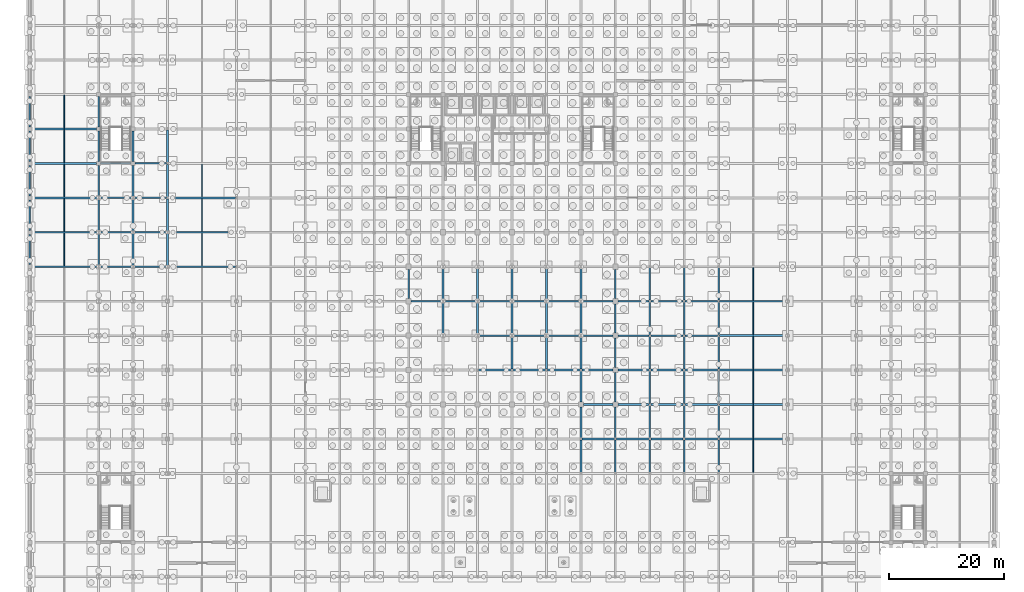
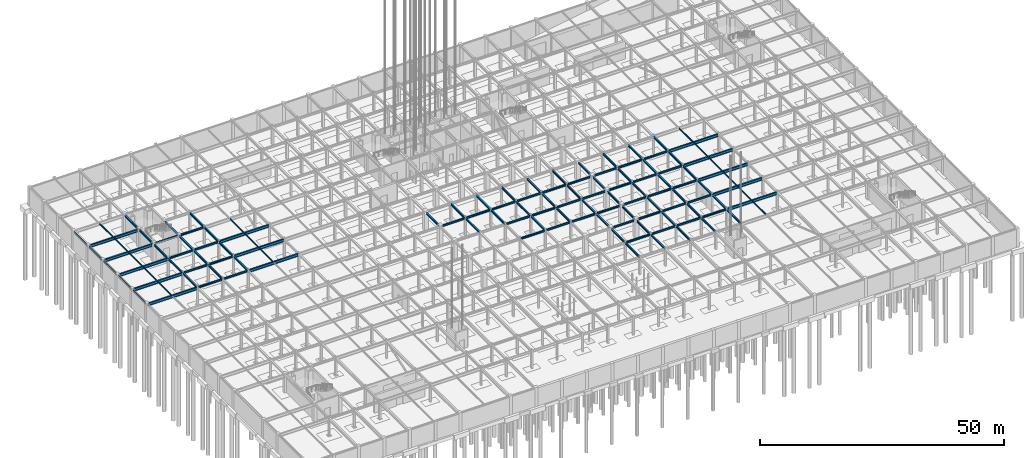
# One storey, part 36 of 69: 125 beams.
"""IFC4 building model written with IfcOpenShell, lengths in metres."""

from ifc_helpers import new_model, si_unit, direction, frame, origin, origin_2d, place, context, subcontext, project, spatial, i_section, extrude, material, material_profile, profile_set, type_object, element, save


model = new_model("IFC4")

# Units and contexts
model_context = context("Model", 3, precision=1e-05, world=origin(), true_north=direction((0.0, 1.0)))
body_context = subcontext(model_context, "Body", "Model", "MODEL_VIEW")
ifc_project = project(units=[si_unit("LENGTHUNIT", "METRE"), si_unit("AREAUNIT", "SQUARE_METRE"), si_unit("VOLUMEUNIT", "CUBIC_METRE"), si_unit("PLANEANGLEUNIT", "RADIAN"), si_unit("MASSUNIT", "GRAM", prefix="KILO")], contexts=[model_context])

# Site, building, storey
site_placement = place(None, origin())
site = spatial("IfcSite", under=ifc_project, at=site_placement, CompositionType="ELEMENT")
building_placement = place(site_placement, origin())
building = spatial("IfcBuilding", under=site, at=building_placement, Name="Zlatovratsky Civic Hall", CompositionType="ELEMENT")
storey_placement = place(building_placement, frame((0.0, 0.0, -4.800048828125)))
storey = spatial("IfcBuildingStorey", under=building, at=storey_placement, Name="B1", CompositionType="ELEMENT", Elevation=-4.800048828125)

# Beams
ifc_material = material(Name="Steel S355", Category="steel")
ifc_material_profile_1 = material_profile(ifc_material, i_section(OverallWidth=0.320068359375, OverallDepth=0.68310546875, WebThickness=0.012939453125, FlangeThickness=0.01904296875, FilletRadius=0.02587890625, at=origin_2d()), Name="70Sh1")
ifc_profile_set_1 = profile_set([ifc_material_profile_1], Name="Steel S355")
beam_type_1 = type_object("IfcBeamType", Name="Beam_HallGirder_70Sh1", PredefinedType="BEAM", material=ifc_profile_set_1)
for number, where, z_axis, x_axis, name in (
    (1, (120.175048828125, 36.0, 4.138427734375), (1.0, 0.0, 0.0), (0.0, 1.0, 0.0), "BM-0096"),
    (2, (120.175048828125, 42.0, 4.138427734375), (1.0, 0.0, 0.0), (0.0, 1.0, 0.0), "BM-0118"),
    (3, (120.175048828125, 48.0, 4.138427734375), (1.0, 0.0, 0.0), (0.0, 1.0, 0.0), "BM-0140"),
    (4, (120.175048828125, 54.0, 4.138427734375), (1.0, 0.0, 0.0), (0.0, 1.0, 0.0), "BM-0162"),
    (5, (120.175048828125, 60.0, 4.138427734375), (1.0, 0.0, 0.0), (0.0, 1.0, 0.0), "BM-0184"),
):
    element("IfcBeam", number, at=place(storey_placement, frame(where, z_axis=z_axis, x_axis=x_axis)), inside=storey, type_object=beam_type_1, Name=name, PredefinedType="BEAM", context=body_context, shape_type="SweptSolid", body=[
        extrude(i_section(OverallWidth=0.320068359375, OverallDepth=0.68310546875, WebThickness=0.012939453125, FlangeThickness=0.01904296875, FilletRadius=0.02587890625, at=origin_2d()), origin(), (0.0, 0.0, 1.0), 11.64990234375),
    ])
beam_1_placement = place(storey_placement, frame((0.35009765625, 66.0, 4.138427734375), z_axis=(1.0, 0.0, 0.0), x_axis=(0.0, 1.0, 0.0)))
element("IfcBeam", 6, at=beam_1_placement, inside=storey, type_object=beam_type_1, Name="BM-0189", PredefinedType="BEAM", context=body_context, shape_type="SweptSolid", body=[
    extrude(i_section(OverallWidth=0.320068359375, OverallDepth=0.68310546875, WebThickness=0.012939453125, FlangeThickness=0.01904296875, FilletRadius=0.02587890625, at=origin_2d()), origin(), (0.0, 0.0, 1.0), 11.474853515625),
])
beam_2_placement = place(storey_placement, frame((24.175048828125, 66.0, 4.138427734375), z_axis=(1.0, 0.0, 0.0), x_axis=(0.0, 1.0, 0.0)))
element("IfcBeam", 7, at=beam_2_placement, inside=storey, type_object=beam_type_1, Name="BM-0192", PredefinedType="BEAM", context=body_context, shape_type="SweptSolid", body=[
    extrude(i_section(OverallWidth=0.320068359375, OverallDepth=0.68310546875, WebThickness=0.012939453125, FlangeThickness=0.01904296875, FilletRadius=0.02587890625, at=origin_2d()), origin(), (0.0, 0.0, 1.0), 11.64990234375),
])
beam_3_placement = place(storey_placement, frame((0.35009765625, 72.0, 4.138427734375), z_axis=(1.0, 0.0, 0.0), x_axis=(0.0, 1.0, 0.0)))
element("IfcBeam", 8, at=beam_3_placement, inside=storey, type_object=beam_type_1, Name="BM-0211", PredefinedType="BEAM", context=body_context, shape_type="SweptSolid", body=[
    extrude(i_section(OverallWidth=0.320068359375, OverallDepth=0.68310546875, WebThickness=0.012939453125, FlangeThickness=0.01904296875, FilletRadius=0.02587890625, at=origin_2d()), origin(), (0.0, 0.0, 1.0), 11.474853515625),
])
beam_4_placement = place(storey_placement, frame((24.175048828125, 72.0, 4.138427734375), z_axis=(1.0, 0.0, 0.0), x_axis=(0.0, 1.0, 0.0)))
element("IfcBeam", 9, at=beam_4_placement, inside=storey, type_object=beam_type_1, Name="BM-0214", PredefinedType="BEAM", context=body_context, shape_type="SweptSolid", body=[
    extrude(i_section(OverallWidth=0.320068359375, OverallDepth=0.68310546875, WebThickness=0.012939453125, FlangeThickness=0.01904296875, FilletRadius=0.02587890625, at=origin_2d()), origin(), (0.0, 0.0, 1.0), 11.64990234375),
])
beam_5_placement = place(storey_placement, frame((0.35009765625, 78.0, 4.138427734375), z_axis=(1.0, 0.0, 0.0), x_axis=(0.0, 1.0, 0.0)))
element("IfcBeam", 10, at=beam_5_placement, inside=storey, type_object=beam_type_1, Name="BM-0233", PredefinedType="BEAM", context=body_context, shape_type="SweptSolid", body=[
    extrude(i_section(OverallWidth=0.320068359375, OverallDepth=0.68310546875, WebThickness=0.012939453125, FlangeThickness=0.01904296875, FilletRadius=0.02587890625, at=origin_2d()), origin(), (0.0, 0.0, 1.0), 11.474853515625),
])
beam_6_placement = place(storey_placement, frame((24.175048828125, 78.0, 4.138427734375), z_axis=(1.0, 0.0, 0.0), x_axis=(0.0, 1.0, 0.0)))
element("IfcBeam", 11, at=beam_6_placement, inside=storey, type_object=beam_type_1, Name="BM-0236", PredefinedType="BEAM", context=body_context, shape_type="SweptSolid", body=[
    extrude(i_section(OverallWidth=0.320068359375, OverallDepth=0.68310546875, WebThickness=0.012939453125, FlangeThickness=0.01904296875, FilletRadius=0.02587890625, at=origin_2d()), origin(), (0.0, 0.0, 1.0), 11.64990234375),
])
for number, where, z_axis, x_axis, name in (
    (12, (0.35009765625, 84.0, 4.138427734375), (1.0, 0.0, 0.0), (0.0, 1.0, 0.0), "BM-0255"),
    (13, (0.35009765625, 90.0, 4.138427734375), (1.0, 0.0, 0.0), (0.0, 1.0, 0.0), "BM-0277"),
):
    element("IfcBeam", number, at=place(storey_placement, frame(where, z_axis=z_axis, x_axis=x_axis)), inside=storey, type_object=beam_type_1, Name=name, PredefinedType="BEAM", context=body_context, shape_type="SweptSolid", body=[
        extrude(i_section(OverallWidth=0.320068359375, OverallDepth=0.68310546875, WebThickness=0.012939453125, FlangeThickness=0.01904296875, FilletRadius=0.02587890625, at=origin_2d()), origin(), (0.0, 0.0, 1.0), 11.2998046875),
    ])
ifc_material_profile_2 = material_profile(ifc_material, i_section(OverallWidth=0.198974609375, OverallDepth=0.491943359375, WebThickness=0.0087890625, FlangeThickness=0.011962890625, FilletRadius=0.01611328125, at=origin_2d()), Name="50B1")
ifc_profile_set_2 = profile_set([ifc_material_profile_2], Name="Steel S355")
beam_type_2 = type_object("IfcBeamType", Name="Beam_Spandrel_50B1", PredefinedType="SPANDREL", material=ifc_profile_set_2)
for number, where, z_axis, x_axis, name in (
    (14, (0.0, 66.35009765625, 4.234130859375), (0.0, 1.0, 0.0), (-1.0, 0.0, 0.0), "BM-0392"),
    (15, (0.0, 72.35009765625, 4.234130859375), (0.0, 1.0, 0.0), (-1.0, 0.0, 0.0), "BM-0393"),
    (16, (0.0, 78.35009765625, 4.234130859375), (0.0, 1.0, 0.0), (-1.0, 0.0, 0.0), "BM-0394"),
    (17, (0.0, 84.35009765625, 4.234130859375), (0.0, 1.0, 0.0), (-1.0, 0.0, 0.0), "BM-0395"),
    (18, (0.0, 90.35009765625, 4.234130859375), (0.0, 1.0, 0.0), (-1.0, 0.0, 0.0), "BM-0396"),
):
    element("IfcBeam", number, at=place(storey_placement, frame(where, z_axis=z_axis, x_axis=x_axis)), inside=storey, type_object=beam_type_2, Name=name, PredefinedType="SPANDREL", context=body_context, shape_type="SweptSolid", body=[
        extrude(i_section(OverallWidth=0.198974609375, OverallDepth=0.491943359375, WebThickness=0.0087890625, FlangeThickness=0.011962890625, FilletRadius=0.01611328125, at=origin_2d()), origin(), (0.0, 0.0, 1.0), 5.2998046875),
    ])
ifc_material_profile_3 = material_profile(ifc_material, i_section(OverallWidth=0.300048828125, OverallDepth=0.43994140625, WebThickness=0.010986328125, FlangeThickness=0.01806640625, FilletRadius=0.02197265625, at=origin_2d()), Name="45Sh1")
ifc_profile_set_3 = profile_set([ifc_material_profile_3], Name="Steel S355")
beam_type_3 = type_object("IfcBeamType", Name="Beam_TowerLow_45Sh1", PredefinedType="BEAM", material=ifc_profile_set_3)
for number, where, z_axis, x_axis, name in (
    (19, (96.175048828125, 36.0, 4.260009765625), (1.0, 0.0, 0.0), (0.0, 1.0, 0.0), "BM-0092"),
    (20, (102.175048828125, 36.0, 4.260009765625), (1.0, 0.0, 0.0), (0.0, 1.0, 0.0), "BM-0093"),
    (21, (108.175048828125, 36.0, 4.260009765625), (1.0, 0.0, 0.0), (0.0, 1.0, 0.0), "BM-0094"),
    (22, (114.175048828125, 36.0, 4.260009765625), (1.0, 0.0, 0.0), (0.0, 1.0, 0.0), "BM-0095"),
):
    element("IfcBeam", number, at=place(storey_placement, frame(where, z_axis=z_axis, x_axis=x_axis)), inside=storey, type_object=beam_type_3, Name=name, PredefinedType="BEAM", context=body_context, shape_type="SweptSolid", body=[
        extrude(i_section(OverallWidth=0.300048828125, OverallDepth=0.43994140625, WebThickness=0.010986328125, FlangeThickness=0.01806640625, FilletRadius=0.02197265625, at=origin_2d()), origin(), (0.0, 0.0, 1.0), 5.64990234375),
    ])
beam_7_placement = place(storey_placement, frame((96.449951171875, 42.0, 4.260009765625), z_axis=(1.0, 0.0, 0.0), x_axis=(0.0, 1.0, 0.0)))
element("IfcBeam", 23, at=beam_7_placement, inside=storey, type_object=beam_type_3, Name="BM-0114", PredefinedType="BEAM", context=body_context, shape_type="SweptSolid", body=[
    extrude(i_section(OverallWidth=0.300048828125, OverallDepth=0.43994140625, WebThickness=0.010986328125, FlangeThickness=0.01806640625, FilletRadius=0.02197265625, at=origin_2d()), origin(), (0.0, 0.0, 1.0), 5.10009765625),
])
beam_8_placement = place(storey_placement, frame((102.449951171875, 42.0, 4.260009765625), z_axis=(1.0, 0.0, 0.0), x_axis=(0.0, 1.0, 0.0)))
element("IfcBeam", 24, at=beam_8_placement, inside=storey, type_object=beam_type_3, Name="BM-0115", PredefinedType="BEAM", context=body_context, shape_type="SweptSolid", body=[
    extrude(i_section(OverallWidth=0.300048828125, OverallDepth=0.43994140625, WebThickness=0.010986328125, FlangeThickness=0.01806640625, FilletRadius=0.02197265625, at=origin_2d()), origin(), (0.0, 0.0, 1.0), 5.375),
])
for number, where, z_axis, x_axis, name in (
    (25, (108.175048828125, 42.0, 4.260009765625), (1.0, 0.0, 0.0), (0.0, 1.0, 0.0), "BM-0116"),
    (26, (114.175048828125, 42.0, 4.260009765625), (1.0, 0.0, 0.0), (0.0, 1.0, 0.0), "BM-0117"),
    (27, (78.175048828125, 48.0, 4.260009765625), (1.0, 0.0, 0.0), (0.0, 1.0, 0.0), "BM-0133"),
    (28, (84.175048828125, 48.0, 4.260009765625), (1.0, 0.0, 0.0), (0.0, 1.0, 0.0), "BM-0134"),
    (29, (90.175048828125, 48.0, 4.260009765625), (1.0, 0.0, 0.0), (0.0, 1.0, 0.0), "BM-0135"),
):
    element("IfcBeam", number, at=place(storey_placement, frame(where, z_axis=z_axis, x_axis=x_axis)), inside=storey, type_object=beam_type_3, Name=name, PredefinedType="BEAM", context=body_context, shape_type="SweptSolid", body=[
        extrude(i_section(OverallWidth=0.300048828125, OverallDepth=0.43994140625, WebThickness=0.010986328125, FlangeThickness=0.01806640625, FilletRadius=0.02197265625, at=origin_2d()), origin(), (0.0, 0.0, 1.0), 5.64990234375),
    ])
for number, where, z_axis, x_axis, name in (
    (30, (96.175048828125, 48.0, 4.260009765625), (1.0, 0.0, 0.0), (0.0, 1.0, 0.0), "BM-0136"),
    (31, (102.449951171875, 48.0, 4.260009765625), (1.0, 0.0, 0.0), (0.0, 1.0, 0.0), "BM-0137"),
):
    element("IfcBeam", number, at=place(storey_placement, frame(where, z_axis=z_axis, x_axis=x_axis)), inside=storey, type_object=beam_type_3, Name=name, PredefinedType="BEAM", context=body_context, shape_type="SweptSolid", body=[
        extrude(i_section(OverallWidth=0.300048828125, OverallDepth=0.43994140625, WebThickness=0.010986328125, FlangeThickness=0.01806640625, FilletRadius=0.02197265625, at=origin_2d()), origin(), (0.0, 0.0, 1.0), 5.375),
    ])
for number, where, z_axis, x_axis, name in (
    (32, (108.175048828125, 48.0, 4.260009765625), (1.0, 0.0, 0.0), (0.0, 1.0, 0.0), "BM-0138"),
    (33, (114.175048828125, 48.0, 4.260009765625), (1.0, 0.0, 0.0), (0.0, 1.0, 0.0), "BM-0139"),
    (34, (78.175048828125, 54.0, 4.260009765625), (1.0, 0.0, 0.0), (0.0, 1.0, 0.0), "BM-0155"),
    (35, (84.175048828125, 54.0, 4.260009765625), (1.0, 0.0, 0.0), (0.0, 1.0, 0.0), "BM-0156"),
    (36, (90.175048828125, 54.0, 4.260009765625), (1.0, 0.0, 0.0), (0.0, 1.0, 0.0), "BM-0157"),
):
    element("IfcBeam", number, at=place(storey_placement, frame(where, z_axis=z_axis, x_axis=x_axis)), inside=storey, type_object=beam_type_3, Name=name, PredefinedType="BEAM", context=body_context, shape_type="SweptSolid", body=[
        extrude(i_section(OverallWidth=0.300048828125, OverallDepth=0.43994140625, WebThickness=0.010986328125, FlangeThickness=0.01806640625, FilletRadius=0.02197265625, at=origin_2d()), origin(), (0.0, 0.0, 1.0), 5.64990234375),
    ])
for number, where, z_axis, x_axis, name in (
    (37, (96.175048828125, 54.0, 4.260009765625), (1.0, 0.0, 0.0), (0.0, 1.0, 0.0), "BM-0158"),
    (38, (102.449951171875, 54.0, 4.260009765625), (1.0, 0.0, 0.0), (0.0, 1.0, 0.0), "BM-0159"),
):
    element("IfcBeam", number, at=place(storey_placement, frame(where, z_axis=z_axis, x_axis=x_axis)), inside=storey, type_object=beam_type_3, Name=name, PredefinedType="BEAM", context=body_context, shape_type="SweptSolid", body=[
        extrude(i_section(OverallWidth=0.300048828125, OverallDepth=0.43994140625, WebThickness=0.010986328125, FlangeThickness=0.01806640625, FilletRadius=0.02197265625, at=origin_2d()), origin(), (0.0, 0.0, 1.0), 5.375),
    ])
for number, where, z_axis, x_axis, name in (
    (39, (108.175048828125, 54.0, 4.260009765625), (1.0, 0.0, 0.0), (0.0, 1.0, 0.0), "BM-0160"),
    (40, (114.175048828125, 54.0, 4.260009765625), (1.0, 0.0, 0.0), (0.0, 1.0, 0.0), "BM-0161"),
):
    element("IfcBeam", number, at=place(storey_placement, frame(where, z_axis=z_axis, x_axis=x_axis)), inside=storey, type_object=beam_type_3, Name=name, PredefinedType="BEAM", context=body_context, shape_type="SweptSolid", body=[
        extrude(i_section(OverallWidth=0.300048828125, OverallDepth=0.43994140625, WebThickness=0.010986328125, FlangeThickness=0.01806640625, FilletRadius=0.02197265625, at=origin_2d()), origin(), (0.0, 0.0, 1.0), 5.64990234375),
    ])
beam_9_placement = place(storey_placement, frame((66.449951171875, 60.0, 4.260009765625), z_axis=(1.0, 0.0, 0.0), x_axis=(0.0, 1.0, 0.0)))
element("IfcBeam", 41, at=beam_9_placement, inside=storey, type_object=beam_type_3, Name="BM-0175", PredefinedType="BEAM", context=body_context, shape_type="SweptSolid", body=[
    extrude(i_section(OverallWidth=0.300048828125, OverallDepth=0.43994140625, WebThickness=0.010986328125, FlangeThickness=0.01806640625, FilletRadius=0.02197265625, at=origin_2d()), origin(), (0.0, 0.0, 1.0), 5.375),
])
for number, where, z_axis, x_axis, name in (
    (42, (72.175048828125, 60.0, 4.260009765625), (1.0, 0.0, 0.0), (0.0, 1.0, 0.0), "BM-0176"),
    (43, (78.175048828125, 60.0, 4.260009765625), (1.0, 0.0, 0.0), (0.0, 1.0, 0.0), "BM-0177"),
    (44, (84.175048828125, 60.0, 4.260009765625), (1.0, 0.0, 0.0), (0.0, 1.0, 0.0), "BM-0178"),
    (45, (90.175048828125, 60.0, 4.260009765625), (1.0, 0.0, 0.0), (0.0, 1.0, 0.0), "BM-0179"),
):
    element("IfcBeam", number, at=place(storey_placement, frame(where, z_axis=z_axis, x_axis=x_axis)), inside=storey, type_object=beam_type_3, Name=name, PredefinedType="BEAM", context=body_context, shape_type="SweptSolid", body=[
        extrude(i_section(OverallWidth=0.300048828125, OverallDepth=0.43994140625, WebThickness=0.010986328125, FlangeThickness=0.01806640625, FilletRadius=0.02197265625, at=origin_2d()), origin(), (0.0, 0.0, 1.0), 5.64990234375),
    ])
for number, where, z_axis, x_axis, name in (
    (46, (96.175048828125, 60.0, 4.260009765625), (1.0, 0.0, 0.0), (0.0, 1.0, 0.0), "BM-0180"),
    (47, (102.449951171875, 60.0, 4.260009765625), (1.0, 0.0, 0.0), (0.0, 1.0, 0.0), "BM-0181"),
):
    element("IfcBeam", number, at=place(storey_placement, frame(where, z_axis=z_axis, x_axis=x_axis)), inside=storey, type_object=beam_type_3, Name=name, PredefinedType="BEAM", context=body_context, shape_type="SweptSolid", body=[
        extrude(i_section(OverallWidth=0.300048828125, OverallDepth=0.43994140625, WebThickness=0.010986328125, FlangeThickness=0.01806640625, FilletRadius=0.02197265625, at=origin_2d()), origin(), (0.0, 0.0, 1.0), 5.375),
    ])
for number, where, z_axis, x_axis, name in (
    (48, (108.175048828125, 60.0, 4.260009765625), (1.0, 0.0, 0.0), (0.0, 1.0, 0.0), "BM-0182"),
    (49, (114.175048828125, 60.0, 4.260009765625), (1.0, 0.0, 0.0), (0.0, 1.0, 0.0), "BM-0183"),
    (50, (12.175048828125, 66.0, 4.260009765625), (1.0, 0.0, 0.0), (0.0, 1.0, 0.0), "BM-0190"),
    (51, (18.175048828125, 66.0, 4.260009765625), (1.0, 0.0, 0.0), (0.0, 1.0, 0.0), "BM-0191"),
    (52, (12.175048828125, 72.0, 4.260009765625), (1.0, 0.0, 0.0), (0.0, 1.0, 0.0), "BM-0212"),
    (53, (18.175048828125, 72.0, 4.260009765625), (1.0, 0.0, 0.0), (0.0, 1.0, 0.0), "BM-0213"),
    (54, (12.175048828125, 78.0, 4.260009765625), (1.0, 0.0, 0.0), (0.0, 1.0, 0.0), "BM-0234"),
    (55, (18.175048828125, 78.0, 4.260009765625), (1.0, 0.0, 0.0), (0.0, 1.0, 0.0), "BM-0235"),
):
    element("IfcBeam", number, at=place(storey_placement, frame(where, z_axis=z_axis, x_axis=x_axis)), inside=storey, type_object=beam_type_3, Name=name, PredefinedType="BEAM", context=body_context, shape_type="SweptSolid", body=[
        extrude(i_section(OverallWidth=0.300048828125, OverallDepth=0.43994140625, WebThickness=0.010986328125, FlangeThickness=0.01806640625, FilletRadius=0.02197265625, at=origin_2d()), origin(), (0.0, 0.0, 1.0), 5.64990234375),
    ])
beam_10_placement = place(storey_placement, frame((12.35009765625, 84.0, 4.260009765625), z_axis=(1.0, 0.0, 0.0), x_axis=(0.0, 1.0, 0.0)))
element("IfcBeam", 56, at=beam_10_placement, inside=storey, type_object=beam_type_3, Name="BM-0256", PredefinedType="BEAM", context=body_context, shape_type="SweptSolid", body=[
    extrude(i_section(OverallWidth=0.300048828125, OverallDepth=0.43994140625, WebThickness=0.010986328125, FlangeThickness=0.01806640625, FilletRadius=0.02197265625, at=origin_2d()), origin(), (0.0, 0.0, 1.0), 5.2998046875),
])
beam_11_placement = place(storey_placement, frame((18.35009765625, 84.0, 4.260009765625), z_axis=(1.0, 0.0, 0.0), x_axis=(0.0, 1.0, 0.0)))
element("IfcBeam", 57, at=beam_11_placement, inside=storey, type_object=beam_type_3, Name="BM-0257", PredefinedType="BEAM", context=body_context, shape_type="SweptSolid", body=[
    extrude(i_section(OverallWidth=0.300048828125, OverallDepth=0.43994140625, WebThickness=0.010986328125, FlangeThickness=0.01806640625, FilletRadius=0.02197265625, at=origin_2d()), origin(), (0.0, 0.0, 1.0), 5.474853515625),
])
for number, where, z_axis, x_axis, name in (
    (58, (12.0, 66.175048828125, 4.260009765625), (0.0, 1.0, 0.0), (-1.0, 0.0, 0.0), "BM-0409"),
    (59, (12.0, 72.175048828125, 4.260009765625), (0.0, 1.0, 0.0), (-1.0, 0.0, 0.0), "BM-0410"),
):
    element("IfcBeam", number, at=place(storey_placement, frame(where, z_axis=z_axis, x_axis=x_axis)), inside=storey, type_object=beam_type_3, Name=name, PredefinedType="BEAM", context=body_context, shape_type="SweptSolid", body=[
        extrude(i_section(OverallWidth=0.300048828125, OverallDepth=0.43994140625, WebThickness=0.010986328125, FlangeThickness=0.01806640625, FilletRadius=0.02197265625, at=origin_2d()), origin(), (0.0, 0.0, 1.0), 5.64990234375),
    ])
beam_12_placement = place(storey_placement, frame((12.0, 78.175048828125, 4.260009765625), z_axis=(0.0, 1.0, 0.0), x_axis=(-1.0, 0.0, 0.0)))
element("IfcBeam", 60, at=beam_12_placement, inside=storey, type_object=beam_type_3, Name="BM-0411", PredefinedType="BEAM", context=body_context, shape_type="SweptSolid", body=[
    extrude(i_section(OverallWidth=0.300048828125, OverallDepth=0.43994140625, WebThickness=0.010986328125, FlangeThickness=0.01806640625, FilletRadius=0.02197265625, at=origin_2d()), origin(), (0.0, 0.0, 1.0), 5.474853515625),
])
for number, where, z_axis, x_axis, name in (
    (61, (12.0, 84.35009765625, 4.260009765625), (0.0, 1.0, 0.0), (-1.0, 0.0, 0.0), "BM-0412"),
    (62, (12.0, 90.35009765625, 4.260009765625), (0.0, 1.0, 0.0), (-1.0, 0.0, 0.0), "BM-0413"),
):
    element("IfcBeam", number, at=place(storey_placement, frame(where, z_axis=z_axis, x_axis=x_axis)), inside=storey, type_object=beam_type_3, Name=name, PredefinedType="BEAM", context=body_context, shape_type="SweptSolid", body=[
        extrude(i_section(OverallWidth=0.300048828125, OverallDepth=0.43994140625, WebThickness=0.010986328125, FlangeThickness=0.01806640625, FilletRadius=0.02197265625, at=origin_2d()), origin(), (0.0, 0.0, 1.0), 5.2998046875),
    ])
for number, where, z_axis, x_axis, name in (
    (63, (18.0, 66.175048828125, 4.260009765625), (0.0, 1.0, 0.0), (-1.0, 0.0, 0.0), "BM-0426"),
    (64, (18.0, 72.175048828125, 4.260009765625), (0.0, 1.0, 0.0), (-1.0, 0.0, 0.0), "BM-0427"),
):
    element("IfcBeam", number, at=place(storey_placement, frame(where, z_axis=z_axis, x_axis=x_axis)), inside=storey, type_object=beam_type_3, Name=name, PredefinedType="BEAM", context=body_context, shape_type="SweptSolid", body=[
        extrude(i_section(OverallWidth=0.300048828125, OverallDepth=0.43994140625, WebThickness=0.010986328125, FlangeThickness=0.01806640625, FilletRadius=0.02197265625, at=origin_2d()), origin(), (0.0, 0.0, 1.0), 5.64990234375),
    ])
beam_13_placement = place(storey_placement, frame((18.0, 78.175048828125, 4.260009765625), z_axis=(0.0, 1.0, 0.0), x_axis=(-1.0, 0.0, 0.0)))
element("IfcBeam", 65, at=beam_13_placement, inside=storey, type_object=beam_type_3, Name="BM-0428", PredefinedType="BEAM", context=body_context, shape_type="SweptSolid", body=[
    extrude(i_section(OverallWidth=0.300048828125, OverallDepth=0.43994140625, WebThickness=0.010986328125, FlangeThickness=0.01806640625, FilletRadius=0.02197265625, at=origin_2d()), origin(), (0.0, 0.0, 1.0), 5.474853515625),
])
beam_14_placement = place(storey_placement, frame((18.0, 84.35009765625, 4.260009765625), z_axis=(0.0, 1.0, 0.0), x_axis=(-1.0, 0.0, 0.0)))
element("IfcBeam", 66, at=beam_14_placement, inside=storey, type_object=beam_type_3, Name="BM-0429", PredefinedType="BEAM", context=body_context, shape_type="SweptSolid", body=[
    extrude(i_section(OverallWidth=0.300048828125, OverallDepth=0.43994140625, WebThickness=0.010986328125, FlangeThickness=0.01806640625, FilletRadius=0.02197265625, at=origin_2d()), origin(), (0.0, 0.0, 1.0), 5.2998046875),
])
for number, where, z_axis, x_axis, name in (
    (67, (24.0, 66.175048828125, 4.260009765625), (0.0, 1.0, 0.0), (-1.0, 0.0, 0.0), "BM-0443"),
    (68, (24.0, 72.175048828125, 4.260009765625), (0.0, 1.0, 0.0), (-1.0, 0.0, 0.0), "BM-0444"),
    (69, (24.0, 78.175048828125, 4.260009765625), (0.0, 1.0, 0.0), (-1.0, 0.0, 0.0), "BM-0445"),
    (70, (24.0, 84.175048828125, 4.260009765625), (0.0, 1.0, 0.0), (-1.0, 0.0, 0.0), "BM-0446"),
):
    element("IfcBeam", number, at=place(storey_placement, frame(where, z_axis=z_axis, x_axis=x_axis)), inside=storey, type_object=beam_type_3, Name=name, PredefinedType="BEAM", context=body_context, shape_type="SweptSolid", body=[
        extrude(i_section(OverallWidth=0.300048828125, OverallDepth=0.43994140625, WebThickness=0.010986328125, FlangeThickness=0.01806640625, FilletRadius=0.02197265625, at=origin_2d()), origin(), (0.0, 0.0, 1.0), 5.64990234375),
    ])
beam_15_placement = place(storey_placement, frame((66.0, 60.449951171875, 4.260009765625), z_axis=(0.0, 1.0, 0.0), x_axis=(-1.0, 0.0, 0.0)))
element("IfcBeam", 71, at=beam_15_placement, inside=storey, type_object=beam_type_3, Name="BM-0525", PredefinedType="BEAM", context=body_context, shape_type="SweptSolid", body=[
    extrude(i_section(OverallWidth=0.300048828125, OverallDepth=0.43994140625, WebThickness=0.010986328125, FlangeThickness=0.01806640625, FilletRadius=0.02197265625, at=origin_2d()), origin(), (0.0, 0.0, 1.0), 5.10009765625),
])
for number, where, z_axis, x_axis, name in (
    (72, (72.0, 54.175048828125, 4.260009765625), (0.0, 1.0, 0.0), (-1.0, 0.0, 0.0), "BM-0540"),
    (73, (72.0, 60.175048828125, 4.260009765625), (0.0, 1.0, 0.0), (-1.0, 0.0, 0.0), "BM-0541"),
    (74, (78.0, 54.175048828125, 4.260009765625), (0.0, 1.0, 0.0), (-1.0, 0.0, 0.0), "BM-0556"),
    (75, (78.0, 60.175048828125, 4.260009765625), (0.0, 1.0, 0.0), (-1.0, 0.0, 0.0), "BM-0557"),
    (76, (84.0, 48.175048828125, 4.260009765625), (0.0, 1.0, 0.0), (-1.0, 0.0, 0.0), "BM-0571"),
    (77, (84.0, 54.175048828125, 4.260009765625), (0.0, 1.0, 0.0), (-1.0, 0.0, 0.0), "BM-0572"),
    (78, (84.0, 60.175048828125, 4.260009765625), (0.0, 1.0, 0.0), (-1.0, 0.0, 0.0), "BM-0573"),
    (79, (90.0, 48.175048828125, 4.260009765625), (0.0, 1.0, 0.0), (-1.0, 0.0, 0.0), "BM-0587"),
    (80, (90.0, 54.175048828125, 4.260009765625), (0.0, 1.0, 0.0), (-1.0, 0.0, 0.0), "BM-0588"),
    (81, (90.0, 60.175048828125, 4.260009765625), (0.0, 1.0, 0.0), (-1.0, 0.0, 0.0), "BM-0589"),
    (82, (96.0, 30.175048828125, 4.260009765625), (0.0, 1.0, 0.0), (-1.0, 0.0, 0.0), "BM-0600"),
):
    element("IfcBeam", number, at=place(storey_placement, frame(where, z_axis=z_axis, x_axis=x_axis)), inside=storey, type_object=beam_type_3, Name=name, PredefinedType="BEAM", context=body_context, shape_type="SweptSolid", body=[
        extrude(i_section(OverallWidth=0.300048828125, OverallDepth=0.43994140625, WebThickness=0.010986328125, FlangeThickness=0.01806640625, FilletRadius=0.02197265625, at=origin_2d()), origin(), (0.0, 0.0, 1.0), 5.64990234375),
    ])
for number, where, z_axis, x_axis, name in (
    (83, (96.0, 36.175048828125, 4.260009765625), (0.0, 1.0, 0.0), (-1.0, 0.0, 0.0), "BM-0601"),
    (84, (96.0, 42.449951171875, 4.260009765625), (0.0, 1.0, 0.0), (-1.0, 0.0, 0.0), "BM-0602"),
):
    element("IfcBeam", number, at=place(storey_placement, frame(where, z_axis=z_axis, x_axis=x_axis)), inside=storey, type_object=beam_type_3, Name=name, PredefinedType="BEAM", context=body_context, shape_type="SweptSolid", body=[
        extrude(i_section(OverallWidth=0.300048828125, OverallDepth=0.43994140625, WebThickness=0.010986328125, FlangeThickness=0.01806640625, FilletRadius=0.02197265625, at=origin_2d()), origin(), (0.0, 0.0, 1.0), 5.375),
    ])
for number, where, z_axis, x_axis, name in (
    (85, (96.0, 48.175048828125, 4.260009765625), (0.0, 1.0, 0.0), (-1.0, 0.0, 0.0), "BM-0603"),
    (86, (96.0, 54.175048828125, 4.260009765625), (0.0, 1.0, 0.0), (-1.0, 0.0, 0.0), "BM-0604"),
    (87, (96.0, 60.175048828125, 4.260009765625), (0.0, 1.0, 0.0), (-1.0, 0.0, 0.0), "BM-0605"),
    (88, (102.0, 30.175048828125, 4.260009765625), (0.0, 1.0, 0.0), (-1.0, 0.0, 0.0), "BM-0616"),
):
    element("IfcBeam", number, at=place(storey_placement, frame(where, z_axis=z_axis, x_axis=x_axis)), inside=storey, type_object=beam_type_3, Name=name, PredefinedType="BEAM", context=body_context, shape_type="SweptSolid", body=[
        extrude(i_section(OverallWidth=0.300048828125, OverallDepth=0.43994140625, WebThickness=0.010986328125, FlangeThickness=0.01806640625, FilletRadius=0.02197265625, at=origin_2d()), origin(), (0.0, 0.0, 1.0), 5.64990234375),
    ])
beam_16_placement = place(storey_placement, frame((102.0, 36.175048828125, 4.260009765625), z_axis=(0.0, 1.0, 0.0), x_axis=(-1.0, 0.0, 0.0)))
element("IfcBeam", 89, at=beam_16_placement, inside=storey, type_object=beam_type_3, Name="BM-0617", PredefinedType="BEAM", context=body_context, shape_type="SweptSolid", body=[
    extrude(i_section(OverallWidth=0.300048828125, OverallDepth=0.43994140625, WebThickness=0.010986328125, FlangeThickness=0.01806640625, FilletRadius=0.02197265625, at=origin_2d()), origin(), (0.0, 0.0, 1.0), 5.375),
])
for number, where, z_axis, x_axis, name in (
    (90, (102.0, 42.449951171875, 4.260009765625), (0.0, 1.0, 0.0), (-1.0, 0.0, 0.0), "BM-0618"),
    (91, (102.0, 48.449951171875, 4.260009765625), (0.0, 1.0, 0.0), (-1.0, 0.0, 0.0), "BM-0619"),
    (92, (102.0, 54.449951171875, 4.260009765625), (0.0, 1.0, 0.0), (-1.0, 0.0, 0.0), "BM-0620"),
    (93, (102.0, 60.449951171875, 4.260009765625), (0.0, 1.0, 0.0), (-1.0, 0.0, 0.0), "BM-0621"),
):
    element("IfcBeam", number, at=place(storey_placement, frame(where, z_axis=z_axis, x_axis=x_axis)), inside=storey, type_object=beam_type_3, Name=name, PredefinedType="BEAM", context=body_context, shape_type="SweptSolid", body=[
        extrude(i_section(OverallWidth=0.300048828125, OverallDepth=0.43994140625, WebThickness=0.010986328125, FlangeThickness=0.01806640625, FilletRadius=0.02197265625, at=origin_2d()), origin(), (0.0, 0.0, 1.0), 5.10009765625),
    ])
for number, where, z_axis, x_axis, name in (
    (94, (108.0, 30.175048828125, 4.260009765625), (0.0, 1.0, 0.0), (-1.0, 0.0, 0.0), "BM-0632"),
    (95, (108.0, 36.175048828125, 4.260009765625), (0.0, 1.0, 0.0), (-1.0, 0.0, 0.0), "BM-0633"),
    (96, (108.0, 42.175048828125, 4.260009765625), (0.0, 1.0, 0.0), (-1.0, 0.0, 0.0), "BM-0634"),
    (97, (108.0, 48.175048828125, 4.260009765625), (0.0, 1.0, 0.0), (-1.0, 0.0, 0.0), "BM-0635"),
    (98, (108.0, 54.175048828125, 4.260009765625), (0.0, 1.0, 0.0), (-1.0, 0.0, 0.0), "BM-0636"),
    (99, (108.0, 60.175048828125, 4.260009765625), (0.0, 1.0, 0.0), (-1.0, 0.0, 0.0), "BM-0637"),
    (100, (114.0, 30.175048828125, 4.260009765625), (0.0, 1.0, 0.0), (-1.0, 0.0, 0.0), "BM-0649"),
    (101, (114.0, 36.175048828125, 4.260009765625), (0.0, 1.0, 0.0), (-1.0, 0.0, 0.0), "BM-0650"),
    (102, (114.0, 42.175048828125, 4.260009765625), (0.0, 1.0, 0.0), (-1.0, 0.0, 0.0), "BM-0651"),
    (103, (114.0, 48.175048828125, 4.260009765625), (0.0, 1.0, 0.0), (-1.0, 0.0, 0.0), "BM-0652"),
    (104, (114.0, 54.175048828125, 4.260009765625), (0.0, 1.0, 0.0), (-1.0, 0.0, 0.0), "BM-0653"),
    (105, (114.0, 60.175048828125, 4.260009765625), (0.0, 1.0, 0.0), (-1.0, 0.0, 0.0), "BM-0654"),
    (106, (120.0, 30.175048828125, 4.260009765625), (0.0, 1.0, 0.0), (-1.0, 0.0, 0.0), "BM-0666"),
    (107, (120.0, 36.175048828125, 4.260009765625), (0.0, 1.0, 0.0), (-1.0, 0.0, 0.0), "BM-0667"),
    (108, (120.0, 42.175048828125, 4.260009765625), (0.0, 1.0, 0.0), (-1.0, 0.0, 0.0), "BM-0668"),
    (109, (120.0, 48.175048828125, 4.260009765625), (0.0, 1.0, 0.0), (-1.0, 0.0, 0.0), "BM-0669"),
    (110, (120.0, 54.175048828125, 4.260009765625), (0.0, 1.0, 0.0), (-1.0, 0.0, 0.0), "BM-0670"),
    (111, (120.0, 60.175048828125, 4.260009765625), (0.0, 1.0, 0.0), (-1.0, 0.0, 0.0), "BM-0671"),
):
    element("IfcBeam", number, at=place(storey_placement, frame(where, z_axis=z_axis, x_axis=x_axis)), inside=storey, type_object=beam_type_3, Name=name, PredefinedType="BEAM", context=body_context, shape_type="SweptSolid", body=[
        extrude(i_section(OverallWidth=0.300048828125, OverallDepth=0.43994140625, WebThickness=0.010986328125, FlangeThickness=0.01806640625, FilletRadius=0.02197265625, at=origin_2d()), origin(), (0.0, 0.0, 1.0), 5.64990234375),
    ])
ifc_material_profile_4 = material_profile(ifc_material, i_section(OverallWidth=0.14990234375, OverallDepth=0.300048828125, WebThickness=0.006591796875, FlangeThickness=0.009033203125, FilletRadius=0.012939453125, at=origin_2d()), Name="30B2")
ifc_profile_set_4 = profile_set([ifc_material_profile_4], Name="Steel S355")
beam_type_4 = type_object("IfcBeamType", Name="Joist_Podium_30B2", PredefinedType="JOIST", material=ifc_profile_set_4)
for number, where, z_axis, x_axis, name in (
    (112, (126.0, 30.159912109375, 4.330078125), (0.0, 1.0, 0.0), (-1.0, 0.0, 0.0), "BM-0786"),
    (113, (126.0, 36.159912109375, 4.330078125), (0.0, 1.0, 0.0), (-1.0, 0.0, 0.0), "BM-0792"),
    (114, (126.0, 42.159912109375, 4.330078125), (0.0, 1.0, 0.0), (-1.0, 0.0, 0.0), "BM-0798"),
    (115, (126.0, 48.159912109375, 4.330078125), (0.0, 1.0, 0.0), (-1.0, 0.0, 0.0), "BM-0804"),
    (116, (126.0, 54.159912109375, 4.330078125), (0.0, 1.0, 0.0), (-1.0, 0.0, 0.0), "BM-0810"),
    (117, (126.0, 60.159912109375, 4.330078125), (0.0, 1.0, 0.0), (-1.0, 0.0, 0.0), "BM-0816"),
    (118, (6.0, 66.159912109375, 4.330078125), (0.0, 1.0, 0.0), (-1.0, 0.0, 0.0), "BM-0819"),
    (119, (30.0, 66.159912109375, 4.330078125), (0.0, 1.0, 0.0), (-1.0, 0.0, 0.0), "BM-0820"),
    (120, (6.0, 72.159912109375, 4.330078125), (0.0, 1.0, 0.0), (-1.0, 0.0, 0.0), "BM-0825"),
    (121, (30.0, 72.159912109375, 4.330078125), (0.0, 1.0, 0.0), (-1.0, 0.0, 0.0), "BM-0826"),
    (122, (6.0, 78.159912109375, 4.330078125), (0.0, 1.0, 0.0), (-1.0, 0.0, 0.0), "BM-0831"),
    (123, (30.0, 78.159912109375, 4.330078125), (0.0, 1.0, 0.0), (-1.0, 0.0, 0.0), "BM-0832"),
    (124, (6.0, 84.159912109375, 4.330078125), (0.0, 1.0, 0.0), (-1.0, 0.0, 0.0), "BM-0837"),
    (125, (6.0, 90.159912109375, 4.330078125), (0.0, 1.0, 0.0), (-1.0, 0.0, 0.0), "BM-0843"),
):
    element("IfcBeam", number, at=place(storey_placement, frame(where, z_axis=z_axis, x_axis=x_axis)), inside=storey, type_object=beam_type_4, Name=name, PredefinedType="JOIST", context=body_context, shape_type="SweptSolid", body=[
        extrude(i_section(OverallWidth=0.14990234375, OverallDepth=0.300048828125, WebThickness=0.006591796875, FlangeThickness=0.009033203125, FilletRadius=0.012939453125, at=origin_2d()), origin(), (0.0, 0.0, 1.0), 5.68017578125),
    ])

save(model, "model.ifc")
